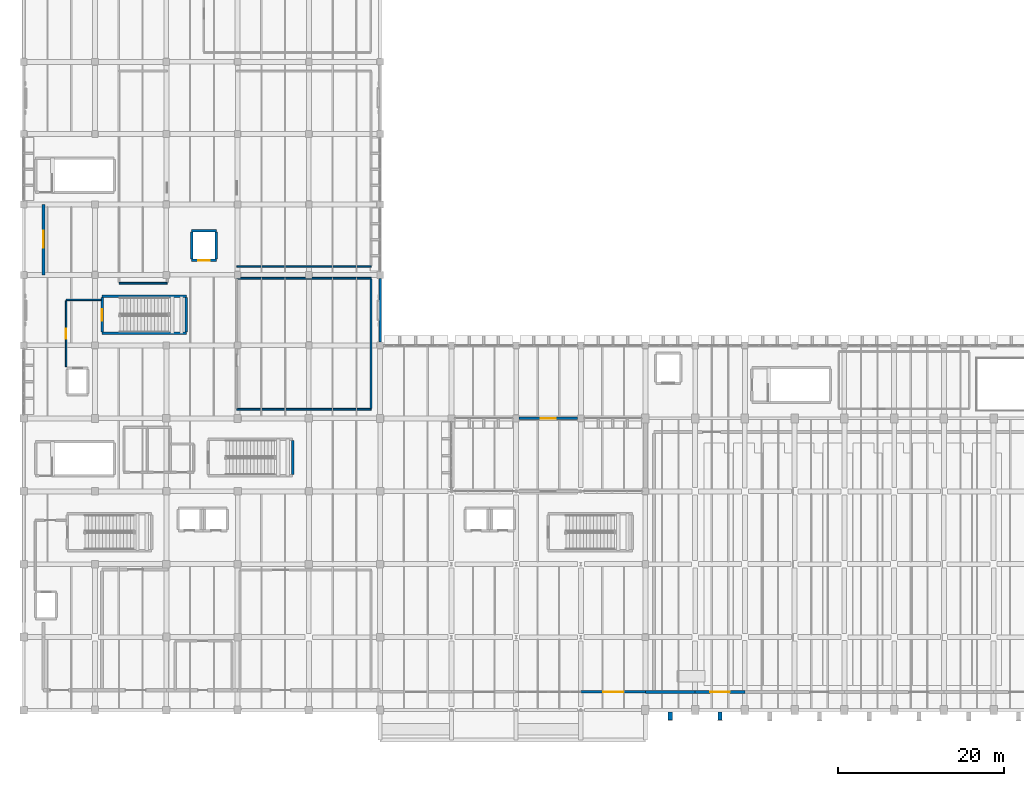
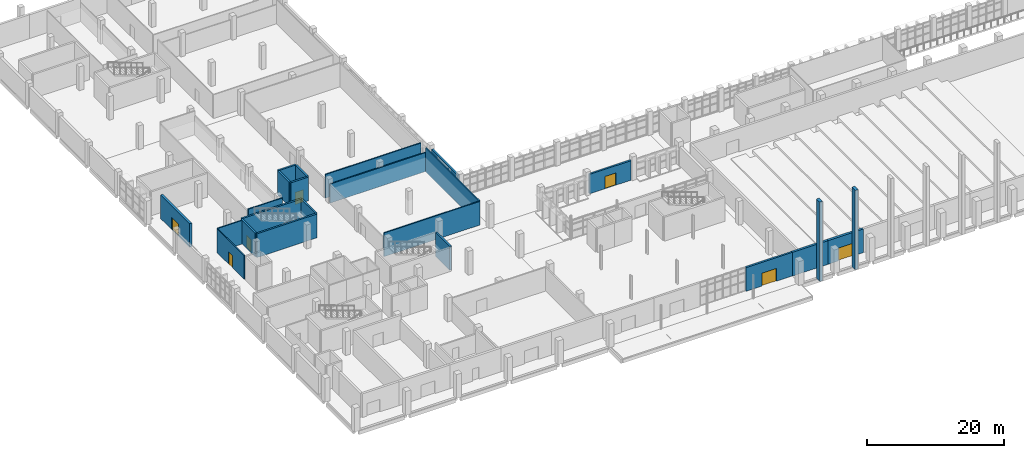
# One storey, part 59 of 76: 24 walls, 7 doors, 7 openings.
"""IFC4 building model written with IfcOpenShell, lengths in metres."""

from ifc_helpers import new_model, si_unit, direction, frame, frame_2d, origin, place, context, subcontext, project, spatial, rectangle, extrude, material, layer, layer_set, type_object, element, fill, save


model = new_model("IFC4")

# Units and contexts
model_context = context("Model", 3, precision=1e-05, world=origin(), true_north=direction((0.0, 1.0)))
body_context = subcontext(model_context, "Body", "Model", "MODEL_VIEW")
ifc_project = project(units=[si_unit("LENGTHUNIT", "METRE"), si_unit("AREAUNIT", "SQUARE_METRE"), si_unit("VOLUMEUNIT", "CUBIC_METRE"), si_unit("PLANEANGLEUNIT", "RADIAN"), si_unit("MASSUNIT", "GRAM", prefix="KILO")], contexts=[model_context])

# Site, building, storey
site_placement = place(None, origin())
site = spatial("IfcSite", under=ifc_project, at=site_placement, CompositionType="ELEMENT")
building_placement = place(site_placement, origin())
building = spatial("IfcBuilding", under=site, at=building_placement, Name="Varnakota Cinema and Media Centre", CompositionType="ELEMENT")
storey_placement = place(building_placement, origin())
storey = spatial("IfcBuildingStorey", under=building, at=storey_placement, Name="L00", CompositionType="ELEMENT", Elevation=0.0)

# Walls
ifc_material_1 = material(Name="Autoclaved aerated concrete blockwork", Category="masonry")
ifc_layer_1 = layer(ifc_material_1, 0.2099609375)
ifc_layer_set_1 = layer_set([ifc_layer_1], Name="Autoclaved aerated concrete blockwork")
wall_type_1 = type_object("IfcWallType", Name="W-ACOUST-210", PredefinedType="PARTITIONING", material=ifc_layer_set_1)
wall_1_placement = place(storey_placement, frame((41.905029296875, 36.294921875, 0.0), z_axis=(0.0, 0.0, 1.0), x_axis=(-1.0, 0.0, 0.0)))
element("IfcWall", 1, at=wall_1_placement, inside=storey, type_object=wall_type_1, Name="L00 RWALL-RM-L00-REC1 S wall", PredefinedType="PARTITIONING", context=body_context, shape_type="SweptSolid", body=[
    extrude(rectangle(XDim=16.2099609375, YDim=0.2099609375, at=frame_2d((8.10498046875, 0.0))), origin(), (0.0, 0.0, 1.0), 4.22998046875),
])
wall_2_placement = place(storey_placement, frame((25.695068359375, 52.10498046875, 0.0), z_axis=(0.0, 0.0, 1.0), x_axis=(1.0, 0.0, 0.0)))
element("IfcWall", 2, at=wall_2_placement, inside=storey, type_object=wall_type_1, Name="L00 RWALL-RM-L00-REC1 N wall", PredefinedType="PARTITIONING", context=body_context, shape_type="SweptSolid", body=[
    extrude(rectangle(XDim=16.2099609375, YDim=0.2099609375, at=frame_2d((8.10498046875, 0.0))), origin(), (0.0, 0.0, 1.0), 3.3798828125),
])
wall_3_placement = place(storey_placement, frame((41.905029296875, 52.0, 0.0), z_axis=(0.0, 0.0, 1.0), x_axis=(0.0, -1.0, 0.0)))
element("IfcWall", 3, at=wall_3_placement, inside=storey, type_object=wall_type_1, Name="L00 RWALL-RM-L00-REC1 E wall", PredefinedType="PARTITIONING", context=body_context, shape_type="SweptSolid", body=[
    extrude(rectangle(XDim=15.60009765625, YDim=0.2099609375, at=frame_2d((7.800048828125, 0.0))), origin(), (0.0, 0.0, 1.0), 4.22998046875),
])
wall_4_placement = place(storey_placement, frame((17.304931640625, 51.4951171875, 0.0), z_axis=(0.0, 0.0, 1.0), x_axis=(-1.0, 0.0, 0.0)))
element("IfcWall", 4, at=wall_4_placement, inside=storey, type_object=wall_type_1, Name="L00 RWALL-RM-L00-FOLEY S wall", PredefinedType="PARTITIONING", context=body_context, shape_type="SweptSolid", body=[
    extrude(rectangle(XDim=5.809814453125, YDim=0.2099609375, at=frame_2d((2.90478515625, 0.0))), origin(), (0.0, 0.0, 1.0), 4.22998046875),
])
ifc_material_2 = material(Name="Deccan grey granite ashlar", Category="masonry")
ifc_layer_2 = layer(ifc_material_2, 0.5)
ifc_layer_set_2 = layer_set([ifc_layer_2], Name="Deccan grey granite ashlar")
wall_type_2 = type_object("IfcWallType", Name="W-BUTTRESS-500", PredefinedType="SOLIDWALL", material=ifc_layer_set_2)
for number, where, z_axis, x_axis, name in (
    (5, (78.0, -0.22998046875, 0.0), (0.0, 0.0, 1.0), (0.0, -1.0, 0.0), "Hall south monumental Brutalist buttress fin 1"),
    (6, (84.0, -0.22998046875, 0.0), (0.0, 0.0, 1.0), (0.0, -1.0, 0.0), "Hall south monumental Brutalist buttress fin 2"),
):
    element("IfcWall", number, at=place(storey_placement, frame(where, z_axis=z_axis, x_axis=x_axis)), inside=storey, type_object=wall_type_2, Name=name, PredefinedType="SOLIDWALL", context=body_context, shape_type="SweptSolid", body=[
        extrude(rectangle(XDim=0.969970703125, YDim=0.5, at=frame_2d((0.48486328125, 0.0))), origin(), (0.0, 0.0, 1.0), 14.199951171875),
    ])
ifc_material_3 = material(Name="Concrete M40", Category="concrete")
ifc_layer_3 = layer(ifc_material_3, 0.300048828125)
ifc_layer_set_3 = layer_set([ifc_layer_3], Name="Concrete M40")
wall_type_3 = type_object("IfcWallType", Name="W-CORE-300", PredefinedType="SHEAR", material=ifc_layer_set_3)
wall_5_placement = place(storey_placement, frame((32.429931640625, 32.550048828125, 0.0), z_axis=(0.0, 0.0, 1.0), x_axis=(0.0, -1.0, 0.0)))
element("IfcWall", 7, at=wall_5_placement, inside=storey, type_object=wall_type_3, Name="L00 CWALL-ST-02-L00 E wall", PredefinedType="SHEAR", context=body_context, shape_type="SweptSolid", body=[
    extrude(rectangle(XDim=4.150146484375, YDim=0.300048828125, at=frame_2d((2.0751953125, 0.0))), origin(), (0.0, 0.0, 1.0), 4.25),
])
wall_6_placement = place(storey_placement, frame((19.6298828125, 45.449951171875, 0.0), z_axis=(0.0, 0.0, 1.0), x_axis=(-1.0, 0.0, 0.0)))
element("IfcWall", 8, at=wall_6_placement, inside=storey, type_object=wall_type_3, Name="L00 CWALL-ST-03-L00 S wall", PredefinedType="SHEAR", context=body_context, shape_type="SweptSolid", body=[
    extrude(rectangle(XDim=10.179931640625, YDim=0.300048828125, at=frame_2d((5.08984375, 0.0))), origin(), (0.0, 0.0, 1.0), 4.25),
])

# Wall, opening, door
wall_7_placement = place(storey_placement, frame((9.449951171875, 45.60009765625, 0.0), z_axis=(0.0, 0.0, 1.0), x_axis=(0.0, 1.0, 0.0)))
wall_7 = element("IfcWall", 9, at=wall_7_placement, inside=storey, type_object=wall_type_3, Name="L00 CWALL-ST-03-L00 W wall", PredefinedType="SHEAR", context=body_context, shape_type="SweptSolid", body=[
    extrude(rectangle(XDim=4.14990234375, YDim=0.300048828125, at=frame_2d((2.074951171875, 0.0))), origin(), (0.0, 0.0, 1.0), 4.25),
])
opening_1_placement = place(wall_7_placement, frame((1.39990234375, 0.0, 0.0)))
opening_1 = element("IfcOpeningElement", 10, at=opening_1_placement, cuts=wall_7, Name="Opening SD-03", PredefinedType="OPENING", context=body_context, shape_type="SweptSolid", body=[
    extrude(rectangle(XDim=1.35009765625, YDim=2.199951171875, at=frame_2d((0.675048828125, 1.10009765625))), frame((0.0, 0.14990234375, 0.0), z_axis=(0.0, -1.0, 0.0), x_axis=(1.0, 0.0, 0.0)), (0.0, 0.0, 1.0), 0.300048828125),
])
ifc_material_4 = material(Name="Thermally broken anodised aluminium AW-6063", Category="aluminium")
door_type_1 = type_object("IfcDoorType", Name="DR-STAIR-1350x2200", OperationType="NOTDEFINED", PredefinedType="DOOR", material=ifc_material_4)
door_1_placement = place(opening_1_placement, origin())
door_1 = element("IfcDoor", 11, at=door_1_placement, inside=storey, type_object=door_type_1, Name="L00 door SD-03", OperationType="SINGLE_SWING_LEFT", OverallHeight=2.199951171875, OverallWidth=1.35009765625, PredefinedType="DOOR", context=body_context, shape_type="SweptSolid", body=[
    extrude(rectangle(XDim=1.35009765625, YDim=2.199951171875, at=frame_2d((0.675048828125, 1.10009765625))), frame((0.0, 0.02490234375, 0.0), z_axis=(0.0, -1.0, 0.0), x_axis=(1.0, 0.0, 0.0)), (0.0, 0.0, 1.0), 0.050048828125),
])
fill(opening_1, door_1)

# Walls
wall_8_placement = place(storey_placement, frame((9.449951171875, 49.89990234375, 0.0), z_axis=(0.0, 0.0, 1.0), x_axis=(1.0, 0.0, 0.0)))
element("IfcWall", 12, at=wall_8_placement, inside=storey, type_object=wall_type_3, Name="L00 CWALL-ST-03-L00 N wall", PredefinedType="SHEAR", context=body_context, shape_type="SweptSolid", body=[
    extrude(rectangle(XDim=10.179931640625, YDim=0.300048828125, at=frame_2d((5.08984375, 0.0))), origin(), (0.0, 0.0, 1.0), 4.25),
])
wall_9_placement = place(storey_placement, frame((19.6298828125, 49.75, 0.0), z_axis=(0.0, 0.0, 1.0), x_axis=(0.0, -1.0, 0.0)))
element("IfcWall", 13, at=wall_9_placement, inside=storey, type_object=wall_type_3, Name="L00 CWALL-ST-03-L00 E wall", PredefinedType="SHEAR", context=body_context, shape_type="SweptSolid", body=[
    extrude(rectangle(XDim=4.14990234375, YDim=0.300048828125, at=frame_2d((2.074951171875, 0.0))), origin(), (0.0, 0.0, 1.0), 4.25),
])

# Wall, opening, door
wall_10_placement = place(storey_placement, frame((23.25, 54.25, 0.0), z_axis=(0.0, 0.0, 1.0), x_axis=(-1.0, 0.0, 0.0)))
wall_10 = element("IfcWall", 14, at=wall_10_placement, inside=storey, type_object=wall_type_3, Name="L00 LSHAFT-LF-07-L00 S wall", PredefinedType="SHEAR", context=body_context, shape_type="SweptSolid", body=[
    extrude(rectangle(XDim=3.0, YDim=0.300048828125, at=frame_2d((1.5, 0.0))), origin(), (0.0, 0.0, 1.0), 4.25),
])
opening_2_placement = place(wall_10_placement, frame((0.800048828125, 0.0, 0.0)))
opening_2 = element("IfcOpeningElement", 15, at=opening_2_placement, cuts=wall_10, Name="Opening LD-07", PredefinedType="OPENING", context=body_context, shape_type="SweptSolid", body=[
    extrude(rectangle(XDim=1.39990234375, YDim=2.199951171875, at=frame_2d((0.699951171875, 1.10009765625))), frame((0.0, 0.14990234375, 0.0), z_axis=(0.0, -1.0, 0.0), x_axis=(1.0, 0.0, 0.0)), (0.0, 0.0, 1.0), 0.300048828125),
])
ifc_material_5 = material(Name="Thermally broken anodised aluminium AW-6063", Category="aluminium")
door_type_2 = type_object("IfcDoorType", Name="DR-LIFT-1400x2200", OperationType="DOUBLE_DOOR_SLIDING", PredefinedType="DOOR", material=ifc_material_5)
door_2_placement = place(opening_2_placement, origin())
door_2 = element("IfcDoor", 16, at=door_2_placement, inside=storey, type_object=door_type_2, Name="L00 door LD-07", OperationType="DOUBLE_DOOR_SLIDING", OverallHeight=2.199951171875, OverallWidth=1.39990234375, PredefinedType="DOOR", context=body_context, shape_type="SweptSolid", body=[
    extrude(rectangle(XDim=1.39990234375, YDim=2.199951171875, at=frame_2d((0.699951171875, 1.10009765625))), frame((0.0, 0.02490234375, 0.0), z_axis=(0.0, -1.0, 0.0), x_axis=(1.0, 0.0, 0.0)), (0.0, 0.0, 1.0), 0.050048828125),
])
fill(opening_2, door_2)

# Walls
wall_11_placement = place(storey_placement, frame((20.25, 54.39990234375, 0.0), z_axis=(0.0, 0.0, 1.0), x_axis=(0.0, 1.0, 0.0)))
element("IfcWall", 17, at=wall_11_placement, inside=storey, type_object=wall_type_3, Name="L00 LSHAFT-LF-07-L00 W wall", PredefinedType="SHEAR", context=body_context, shape_type="SweptSolid", body=[
    extrude(rectangle(XDim=3.300048828125, YDim=0.300048828125, at=frame_2d((1.64990234375, 0.0))), origin(), (0.0, 0.0, 1.0), 4.25),
])
wall_12_placement = place(storey_placement, frame((20.25, 57.85009765625, 0.0), z_axis=(0.0, 0.0, 1.0), x_axis=(1.0, 0.0, 0.0)))
element("IfcWall", 18, at=wall_12_placement, inside=storey, type_object=wall_type_3, Name="L00 LSHAFT-LF-07-L00 N wall", PredefinedType="SHEAR", context=body_context, shape_type="SweptSolid", body=[
    extrude(rectangle(XDim=3.0, YDim=0.300048828125, at=frame_2d((1.5, 0.0))), origin(), (0.0, 0.0, 1.0), 4.25),
])
wall_13_placement = place(storey_placement, frame((23.25, 57.699951171875, 0.0), z_axis=(0.0, 0.0, 1.0), x_axis=(0.0, -1.0, 0.0)))
element("IfcWall", 19, at=wall_13_placement, inside=storey, type_object=wall_type_3, Name="L00 LSHAFT-LF-07-L00 E wall", PredefinedType="SHEAR", context=body_context, shape_type="SweptSolid", body=[
    extrude(rectangle(XDim=3.300048828125, YDim=0.300048828125, at=frame_2d((1.64990234375, 0.0))), origin(), (0.0, 0.0, 1.0), 4.25),
])

# Wall, opening, door
ifc_material_6 = material(Name="Concrete M40", Category="concrete")
ifc_layer_4 = layer(ifc_material_6, 0.31005859375)
ifc_layer_set_4 = layer_set([ifc_layer_4], Name="Concrete M40")
wall_type_4 = type_object("IfcWallType", Name="W-EXT-CONC-310", PredefinedType="SOLIDWALL", material=ifc_layer_set_4)
wall_14_placement = place(storey_placement, frame((75.0, 2.199951171875, 0.0), z_axis=(0.0, 0.0, 1.0), x_axis=(-1.0, 0.0, 0.0)))
wall_14 = element("IfcWall", 20, at=wall_14_placement, inside=storey, type_object=wall_type_4, Name="L00 exterior wall V6-S-1", PredefinedType="SOLIDWALL", context=body_context, shape_type="SweptSolid", body=[
    extrude(rectangle(XDim=7.800048828125, YDim=0.31005859375, at=frame_2d((3.89990234375, 0.0))), origin(), (0.0, 0.0, 1.0), 4.235107421875),
])
opening_3_placement = place(wall_14_placement, frame((2.699951171875, 0.0, 0.0)))
opening_3 = element("IfcOpeningElement", 21, at=opening_3_placement, cuts=wall_14, Name="Opening ED-04", PredefinedType="OPENING", context=body_context, shape_type="SweptSolid", body=[
    extrude(rectangle(XDim=2.39990234375, YDim=2.300048828125, at=frame_2d((1.199951171875, 1.14990234375))), frame((0.0, 0.155029296875, 0.0), z_axis=(0.0, -1.0, 0.0), x_axis=(1.0, 0.0, 0.0)), (0.0, 0.0, 1.0), 0.31005859375),
])
ifc_material_7 = material(Name="Anodised golden-bronze aluminium AW-6063", Category="aluminium")
door_type_3 = type_object("IfcDoorType", Name="DR-EXIT-2400x2300", OperationType="DOUBLE_DOOR_SINGLE_SWING", PredefinedType="DOOR", material=ifc_material_7)
door_3_placement = place(opening_3_placement, origin())
door_3 = element("IfcDoor", 22, at=door_3_placement, inside=storey, type_object=door_type_3, Name="L00 door ED-04", OperationType="DOUBLE_DOOR_SINGLE_SWING", OverallHeight=2.300048828125, OverallWidth=2.39990234375, PredefinedType="DOOR", context=body_context, shape_type="SweptSolid", body=[
    extrude(rectangle(XDim=2.39990234375, YDim=2.300048828125, at=frame_2d((1.199951171875, 1.14990234375))), frame((0.0, 0.02490234375, 0.0), z_axis=(0.0, -1.0, 0.0), x_axis=(1.0, 0.0, 0.0)), (0.0, 0.0, 1.0), 0.050048828125),
])
fill(opening_3, door_3)

wall_15_placement = place(storey_placement, frame((66.800048828125, 35.199951171875, 0.0), z_axis=(0.0, 0.0, 1.0), x_axis=(-1.0, 0.0, 0.0)))
wall_15 = element("IfcWall", 23, at=wall_15_placement, inside=storey, type_object=wall_type_4, Name="L00 exterior wall LINK-S-2", PredefinedType="SOLIDWALL", context=body_context, shape_type="SweptSolid", body=[
    extrude(rectangle(XDim=7.025146484375, YDim=0.31005859375, at=frame_2d((3.5126953125, 0.0))), origin(), (0.0, 0.0, 1.0), 3.485107421875),
])
opening_4_placement = place(wall_15_placement, frame((2.60009765625, 0.0, 0.0)))
opening_4 = element("IfcOpeningElement", 24, at=opening_4_placement, cuts=wall_15, Name="Opening TD-02", PredefinedType="OPENING", context=body_context, shape_type="SweptSolid", body=[
    extrude(rectangle(XDim=1.800048828125, YDim=2.199951171875, at=frame_2d((0.89990234375, 1.10009765625))), frame((0.0, 0.155029296875, 0.0), z_axis=(0.0, -1.0, 0.0), x_axis=(1.0, 0.0, 0.0)), (0.0, 0.0, 1.0), 0.31005859375),
])
ifc_material_8 = material(Name="Anodised golden-bronze aluminium AW-6063", Category="aluminium")
door_type_4 = type_object("IfcDoorType", Name="DR-TERR-1800x2200", OperationType="DOUBLE_DOOR_SINGLE_SWING", PredefinedType="DOOR", material=ifc_material_8)
door_4_placement = place(opening_4_placement, origin())
door_4 = element("IfcDoor", 25, at=door_4_placement, inside=storey, type_object=door_type_4, Name="L00 door TD-02", OperationType="DOUBLE_DOOR_SINGLE_SWING", OverallHeight=2.199951171875, OverallWidth=1.800048828125, PredefinedType="DOOR", context=body_context, shape_type="SweptSolid", body=[
    extrude(rectangle(XDim=1.800048828125, YDim=2.199951171875, at=frame_2d((0.89990234375, 1.10009765625))), frame((0.0, 0.02490234375, 0.0), z_axis=(0.0, -1.0, 0.0), x_axis=(1.0, 0.0, 0.0)), (0.0, 0.0, 1.0), 0.050048828125),
])
fill(opening_4, door_4)

# Wall
ifc_material_9 = material(Name="Deccan grey granite ashlar", Category="masonry")
ifc_layer_5 = layer(ifc_material_9, 0.320068359375)
ifc_layer_set_5 = layer_set([ifc_layer_5], Name="Deccan grey granite ashlar")
wall_type_5 = type_object("IfcWallType", Name="W-EXT-GRAN-320", PredefinedType="SOLIDWALL", material=ifc_layer_set_5)
wall_16_placement = place(storey_placement, frame((43.0, 44.39990234375, 0.0), z_axis=(0.0, 0.0, 1.0), x_axis=(0.0, 1.0, 0.0)))
element("IfcWall", 26, at=wall_16_placement, inside=storey, type_object=wall_type_5, Name="L00 exterior wall V5-E-1", PredefinedType="SOLIDWALL", context=body_context, shape_type="SweptSolid", body=[
    extrude(rectangle(XDim=7.675048828125, YDim=0.320068359375, at=frame_2d((3.83740234375, 0.0))), origin(), (0.0, 0.0, 1.0), 3.5849609375),
])

# Wall, opening, door
ifc_material_10 = material(Name="Deccan grey granite ashlar", Category="masonry")
ifc_layer_6 = layer(ifc_material_10, 0.3798828125)
ifc_layer_set_6 = layer_set([ifc_layer_6], Name="Deccan grey granite ashlar")
wall_type_6 = type_object("IfcWallType", Name="W-EXT-GRAN-380", PredefinedType="SOLIDWALL", material=ifc_layer_set_6)
wall_17_placement = place(storey_placement, frame((87.0, 2.199951171875, 0.0), z_axis=(0.0, 0.0, 1.0), x_axis=(-1.0, 0.0, 0.0)))
wall_17 = element("IfcWall", 27, at=wall_17_placement, inside=storey, type_object=wall_type_6, Name="L00 exterior wall V1-S-9", PredefinedType="SOLIDWALL", context=body_context, shape_type="SweptSolid", body=[
    extrude(rectangle(XDim=6.0, YDim=0.3798828125, at=frame_2d((3.0, 0.0))), origin(), (0.0, 0.0, 1.0), 4.235107421875),
])
opening_5_placement = place(wall_17_placement, frame((1.800048828125, 0.0, 0.0)))
opening_5 = element("IfcOpeningElement", 28, at=opening_5_placement, cuts=wall_17, Name="Opening ED-13", PredefinedType="OPENING", context=body_context, shape_type="SweptSolid", body=[
    extrude(rectangle(XDim=2.39990234375, YDim=2.300048828125, at=frame_2d((1.199951171875, 1.14990234375))), frame((0.0, 0.18994140625, 0.0), z_axis=(0.0, -1.0, 0.0), x_axis=(1.0, 0.0, 0.0)), (0.0, 0.0, 1.0), 0.3798828125),
])
door_5_placement = place(opening_5_placement, origin())
door_5 = element("IfcDoor", 29, at=door_5_placement, inside=storey, type_object=door_type_3, Name="L00 door ED-13", OperationType="DOUBLE_DOOR_SINGLE_SWING", OverallHeight=2.300048828125, OverallWidth=2.39990234375, PredefinedType="DOOR", context=body_context, shape_type="SweptSolid", body=[
    extrude(rectangle(XDim=2.39990234375, YDim=2.300048828125, at=frame_2d((1.199951171875, 1.14990234375))), frame((0.0, 0.02490234375, 0.0), z_axis=(0.0, -1.0, 0.0), x_axis=(1.0, 0.0, 0.0)), (0.0, 0.0, 1.0), 0.050048828125),
])
fill(opening_5, door_5)

# Wall
wall_18_placement = place(storey_placement, frame((81.0, 2.199951171875, 0.0), z_axis=(0.0, 0.0, 1.0), x_axis=(-1.0, 0.0, 0.0)))
element("IfcWall", 30, at=wall_18_placement, inside=storey, type_object=wall_type_6, Name="L00 exterior wall V1-S-10", PredefinedType="SOLIDWALL", context=body_context, shape_type="SweptSolid", body=[
    extrude(rectangle(XDim=6.0, YDim=0.3798828125, at=frame_2d((3.0, 0.0))), origin(), (0.0, 0.0, 1.0), 4.235107421875),
])

# Wall, opening, door
wall_19_placement = place(storey_placement, frame((2.39990234375, 61.0, 0.0), z_axis=(0.0, 0.0, 1.0), x_axis=(0.0, -1.0, 0.0)))
wall_19 = element("IfcWall", 31, at=wall_19_placement, inside=storey, type_object=wall_type_6, Name="L00 exterior wall V5-W-COL-1", PredefinedType="SOLIDWALL", context=body_context, shape_type="SweptSolid", body=[
    extrude(rectangle(XDim=8.5, YDim=0.3798828125, at=frame_2d((4.25, 0.0))), origin(), (0.0, 0.0, 1.0), 4.235107421875),
])
opening_6_placement = place(wall_19_placement, frame((3.175048828125, 0.0, 0.0)))
opening_6 = element("IfcOpeningElement", 32, at=opening_6_placement, cuts=wall_19, Name="Opening ED-08", PredefinedType="OPENING", context=body_context, shape_type="SweptSolid", body=[
    extrude(rectangle(XDim=2.050048828125, YDim=2.199951171875, at=frame_2d((1.02490234375, 1.10009765625))), frame((0.0, 0.18994140625, 0.0), z_axis=(0.0, -1.0, 0.0), x_axis=(1.0, 0.0, 0.0)), (0.0, 0.0, 1.0), 0.3798828125),
])
ifc_material_11 = material(Name="Anodised golden-bronze aluminium AW-6063", Category="aluminium")
door_type_5 = type_object("IfcDoorType", Name="DR-EXIT-2050x2200", OperationType="DOUBLE_DOOR_SINGLE_SWING", PredefinedType="DOOR", material=ifc_material_11)
door_6_placement = place(opening_6_placement, origin())
door_6 = element("IfcDoor", 33, at=door_6_placement, inside=storey, type_object=door_type_5, Name="L00 door ED-08", OperationType="DOUBLE_DOOR_SINGLE_SWING", OverallHeight=2.199951171875, OverallWidth=2.050048828125, PredefinedType="DOOR", context=body_context, shape_type="SweptSolid", body=[
    extrude(rectangle(XDim=2.050048828125, YDim=2.199951171875, at=frame_2d((1.02490234375, 1.10009765625))), frame((0.0, 0.02490234375, 0.0), z_axis=(0.0, -1.0, 0.0), x_axis=(1.0, 0.0, 0.0)), (0.0, 0.0, 1.0), 0.050048828125),
])
fill(opening_6, door_6)

ifc_material_12 = material(Name="Autoclaved aerated concrete blockwork", Category="masonry")
ifc_layer_7 = layer(ifc_material_12, 0.169921875)
ifc_layer_set_7 = layer_set([ifc_layer_7], Name="Autoclaved aerated concrete blockwork")
wall_type_7 = type_object("IfcWallType", Name="W-PART-170", PredefinedType="PARTITIONING", material=ifc_layer_set_7)
wall_20_placement = place(storey_placement, frame((5.114990234375, 41.449951171875, 0.0), z_axis=(0.0, 0.0, 1.0), x_axis=(0.0, 1.0, 0.0)))
wall_20 = element("IfcWall", 34, at=wall_20_placement, inside=storey, type_object=wall_type_7, Name="L00 RWALL-RM-L00-FF-2 W wall", PredefinedType="PARTITIONING", context=body_context, shape_type="SweptSolid", body=[
    extrude(rectangle(XDim=7.949951171875, YDim=0.169921875, at=frame_2d((3.97509765625, 0.0))), origin(), (0.0, 0.0, 1.0), 4.22998046875),
])
opening_7_placement = place(wall_20_placement, frame((3.35009765625, 0.0, 0.0)))
opening_7 = element("IfcOpeningElement", 35, at=opening_7_placement, cuts=wall_20, Name="Opening D-011", PredefinedType="OPENING", context=body_context, shape_type="SweptSolid", body=[
    extrude(rectangle(XDim=1.199951171875, YDim=2.14990234375, at=frame_2d((0.60009765625, 1.074951171875))), frame((0.0, 0.0849609375, 0.0), z_axis=(0.0, -1.0, 0.0), x_axis=(1.0, 0.0, 0.0)), (0.0, 0.0, 1.0), 0.169921875),
])
ifc_material_13 = material(Name="Thermally broken anodised aluminium AW-6063", Category="aluminium")
door_type_6 = type_object("IfcDoorType", Name="DR-STD-1200x2150", OperationType="NOTDEFINED", PredefinedType="DOOR", material=ifc_material_13)
door_7_placement = place(opening_7_placement, origin())
door_7 = element("IfcDoor", 36, at=door_7_placement, inside=storey, type_object=door_type_6, Name="L00 door D-011", OperationType="SINGLE_SWING_LEFT", OverallHeight=2.14990234375, OverallWidth=1.199951171875, PredefinedType="DOOR", context=body_context, shape_type="SweptSolid", body=[
    extrude(rectangle(XDim=1.199951171875, YDim=2.14990234375, at=frame_2d((0.60009765625, 1.074951171875))), frame((0.0, 0.02490234375, 0.0), z_axis=(0.0, -1.0, 0.0), x_axis=(1.0, 0.0, 0.0)), (0.0, 0.0, 1.0), 0.050048828125),
])
fill(opening_7, door_7)

# Walls
wall_21_placement = place(storey_placement, frame((5.114990234375, 49.485107421875, 0.0), z_axis=(0.0, 0.0, 1.0), x_axis=(1.0, 0.0, 0.0)))
element("IfcWall", 37, at=wall_21_placement, inside=storey, type_object=wall_type_7, Name="L00 RWALL-RM-L00-FF-2 N wall", PredefinedType="PARTITIONING", context=body_context, shape_type="SweptSolid", body=[
    extrude(rectangle(XDim=4.219970703125, YDim=0.169921875, at=frame_2d((2.10986328125, 0.0))), origin(), (0.0, 0.0, 1.0), 4.22998046875),
])
ifc_material_14 = material(Name="Autoclaved aerated concrete blockwork", Category="masonry")
ifc_layer_8 = layer(ifc_material_14, 0.18994140625)
ifc_layer_set_8 = layer_set([ifc_layer_8], Name="Autoclaved aerated concrete blockwork")
wall_type_8 = type_object("IfcWallType", Name="W-PART-190", PredefinedType="PARTITIONING", material=ifc_layer_set_8)
wall_22_placement = place(storey_placement, frame((41.89501953125, 53.5048828125, 0.0), z_axis=(0.0, 0.0, 1.0), x_axis=(-1.0, 0.0, 0.0)))
element("IfcWall", 38, at=wall_22_placement, inside=storey, type_object=wall_type_8, Name="L00 RWALL-RM-L00-STAGEB S wall", PredefinedType="PARTITIONING", context=body_context, shape_type="SweptSolid", body=[
    extrude(rectangle(XDim=16.18994140625, YDim=0.18994140625, at=frame_2d((8.094970703125, 0.0))), origin(), (0.0, 0.0, 1.0), 4.22998046875),
])

save(model, "model.ifc")
